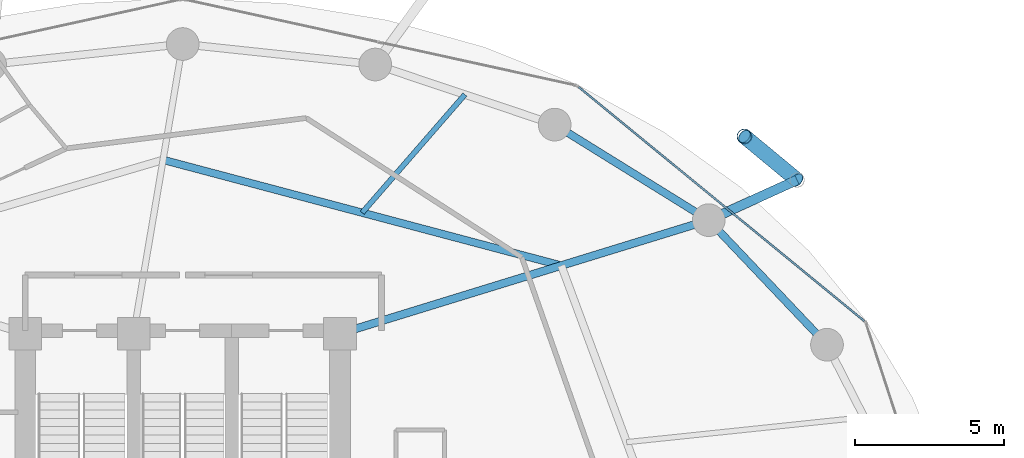
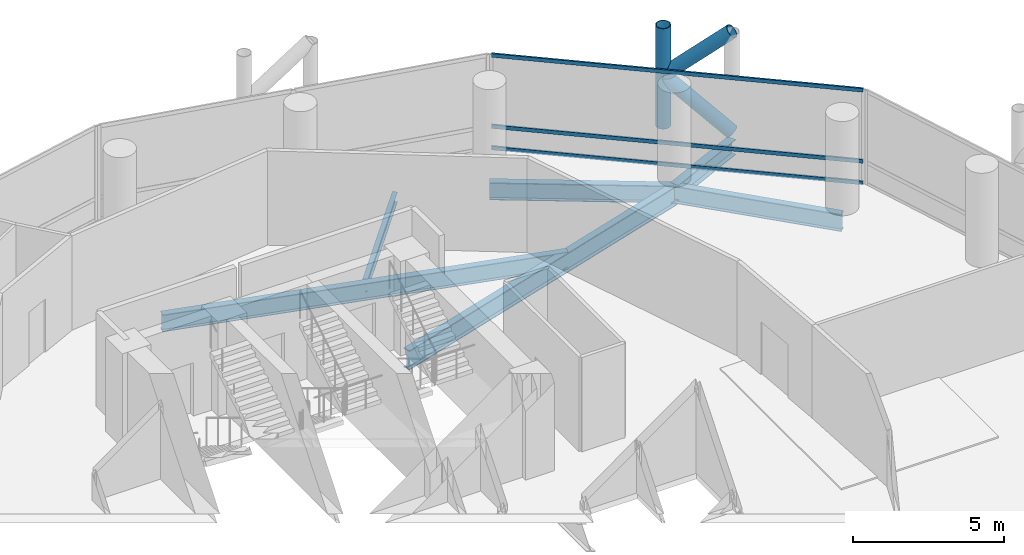
# One storey, part 17 of 24: 6 beams, 6 members, 1 element without a shape of its own.
"""IFC4 building model written with IfcOpenShell, lengths in metres."""

from ifc_helpers import new_model, si_unit, direction, frame, origin, origin_2d, place, context, subcontext, project, spatial, hollow_rectangle, hollow_circle, i_section, extrude, material, layer, layer_set, material_profile, profile_set, type_object, element, aggregate, save


model = new_model("IFC4")

# Units and contexts
model_context = context("Model", 3, precision=1e-05, world=origin(), true_north=direction((0.0, 1.0)))
body_context = subcontext(model_context, "Body", "Model", "MODEL_VIEW")
ifc_project = project(units=[si_unit("LENGTHUNIT", "METRE"), si_unit("AREAUNIT", "SQUARE_METRE"), si_unit("VOLUMEUNIT", "CUBIC_METRE"), si_unit("PLANEANGLEUNIT", "RADIAN"), si_unit("MASSUNIT", "GRAM", prefix="KILO")], contexts=[model_context])

# Site, building, storey
site_placement = place(None, origin())
site = spatial("IfcSite", under=ifc_project, at=site_placement, CompositionType="ELEMENT")
building_placement = place(site_placement, origin())
building = spatial("IfcBuilding", under=site, at=building_placement, Name="Nuhasar Tower", CompositionType="ELEMENT")
storey_placement = place(building_placement, frame((0.0, 0.0, 85.800048828125)))
storey = spatial("IfcBuildingStorey", under=building, at=storey_placement, Name="L20", CompositionType="ELEMENT", Elevation=85.800048828125)

# Beams
ifc_material_1 = material(Name="Steel S355", Category="steel")
ifc_material_profile_1 = material_profile(ifc_material_1, i_section(OverallWidth=0.25390625, OverallDepth=0.68408203125, WebThickness=0.012451171875, FlangeThickness=0.018798828125, at=origin_2d()), Name="W27X94")
ifc_profile_set_1 = profile_set([ifc_material_profile_1], Name="Steel S355")
beam_type_1 = type_object("IfcBeamType", Name="BM-INRING-W27X94", PredefinedType="BEAM", material=ifc_profile_set_1)
beam_1_placement = place(storey_placement, frame((51.748046875, 39.591064453125, -0.592041015625), z_axis=(-0.96653253005, 0.256544086574, 0.0), x_axis=(-0.256544086574, -0.96653253005, 0.0)))
element("IfcBeam", 1, at=beam_1_placement, inside=storey, type_object=beam_type_1, Name="L20 Inner Header Beam 05", PredefinedType="BEAM", context=body_context, shape_type="SweptSolid", body=[
    extrude(i_section(OverallWidth=0.25390625, OverallDepth=0.68408203125, WebThickness=0.012451171875, FlangeThickness=0.018798828125, at=origin_2d()), origin(), (0.0, 0.0, 1.0), 13.872314453125),
])
ifc_material_profile_2 = material_profile(ifc_material_1, i_section(OverallWidth=0.177978515625, OverallDepth=0.406005859375, WebThickness=0.0078125, FlangeThickness=0.0126953125, at=origin_2d()), Name="W16X40")
ifc_profile_set_2 = profile_set([ifc_material_profile_2], Name="Steel S355")
beam_type_2 = type_object("IfcBeamType", Name="BM-JST-W16X40", PredefinedType="JOIST", material=ifc_profile_set_2)
beam_2_placement = place(storey_placement, frame((45.0439453125, 41.3701171875, -0.453125), z_axis=(0.656174129694, 0.754609509296, 0.0), x_axis=(-0.754609509296, 0.656174129694, 0.0)))
element("IfcBeam", 2, at=beam_2_placement, inside=storey, type_object=beam_type_2, Name="L20 Secondary Floor Joist 05", PredefinedType="JOIST", context=body_context, shape_type="SweptSolid", body=[
    extrude(i_section(OverallWidth=0.177978515625, OverallDepth=0.406005859375, WebThickness=0.0078125, FlangeThickness=0.0126953125, at=origin_2d()), origin(), (0.0, 0.0, 1.0), 5.27294921875),
])
ifc_material_profile_3 = material_profile(ifc_material_1, i_section(OverallWidth=0.26611328125, OverallDepth=0.779052734375, WebThickness=0.0166015625, FlangeThickness=0.030029296875, at=origin_2d()), Name="W30X148")
ifc_profile_set_3 = profile_set([ifc_material_profile_3], Name="Steel S355")
beam_type_3 = type_object("IfcBeamType", Name="BM-RAD-W30X148", PredefinedType="BEAM", material=ifc_profile_set_3)
beam_3_placement = place(storey_placement, frame((44.300048828125, 37.300048828125, -0.64013671875), z_axis=(0.955789576103, 0.294051502653, 0.0), x_axis=(-0.294051502653, 0.955789576103, 0.0)))
element("IfcBeam", 3, at=beam_3_placement, inside=storey, type_object=beam_type_3, Name="L20 Radial Floor Girder 05", PredefinedType="BEAM", context=body_context, shape_type="SweptSolid", body=[
    extrude(i_section(OverallWidth=0.26611328125, OverallDepth=0.779052734375, WebThickness=0.0166015625, FlangeThickness=0.030029296875, at=origin_2d()), origin(), (0.0, 0.0, 1.0), 12.987060546875),
])
ifc_material_profile_4 = material_profile(ifc_material_1, i_section(OverallWidth=0.256103515625, OverallDepth=0.693115234375, WebThickness=0.014404296875, FlangeThickness=0.023681640625, at=origin_2d()), Name="W27X114")
ifc_profile_set_4 = profile_set([ifc_material_profile_4], Name="Steel S355")
beam_type_4 = type_object("IfcBeamType", Name="BM-RING-W27X114", PredefinedType="SPANDREL", material=ifc_profile_set_4)
beam_4_placement = place(storey_placement, frame((60.694091796875, 36.925048828125, -0.59716796875), z_axis=(-0.688480893507, 0.725254478976, 0.0), x_axis=(-0.725254478976, -0.688480893507, 0.0)))
element("IfcBeam", 4, at=beam_4_placement, inside=storey, type_object=beam_type_4, Name="L20 Perimeter Ring Spandrel 03", PredefinedType="SPANDREL", context=body_context, shape_type="SweptSolid", body=[
    extrude(i_section(OverallWidth=0.256103515625, OverallDepth=0.693115234375, WebThickness=0.014404296875, FlangeThickness=0.023681640625, at=origin_2d()), origin(), (0.0, 0.0, 1.0), 5.782470703125),
])
beam_5_placement = place(storey_placement, frame((56.712890625, 41.118896484375, -0.59716796875), z_axis=(-0.849795216549, 0.527112976439, 0.0), x_axis=(-0.527112976439, -0.849795216549, 0.0)))
element("IfcBeam", 5, at=beam_5_placement, inside=storey, type_object=beam_type_4, Name="L20 Perimeter Ring Spandrel 04", PredefinedType="SPANDREL", context=body_context, shape_type="SweptSolid", body=[
    extrude(i_section(OverallWidth=0.256103515625, OverallDepth=0.693115234375, WebThickness=0.014404296875, FlangeThickness=0.023681640625, at=origin_2d()), origin(), (0.0, 0.0, 1.0), 6.10498046875),
])
ifc_material_profile_5 = material_profile(ifc_material_1, i_section(OverallWidth=0.323974609375, OverallDepth=0.611083984375, WebThickness=0.0126953125, FlangeThickness=0.01904296875, at=origin_2d()), Name="W24X104")
ifc_profile_set_5 = profile_set([ifc_material_profile_5], Name="Steel S355")
beam_type_5 = type_object("IfcBeamType", Name="BM-TIE-W24X104", PredefinedType="BEAM", material=ifc_profile_set_5)
beam_6_placement = place(storey_placement, frame((56.712890625, 41.118896484375, -0.554931640625), z_axis=(0.910243528587, 0.414073325227, 0.0), x_axis=(-0.414073325227, 0.910243528587, 0.0)))
element("IfcBeam", 6, at=beam_6_placement, inside=storey, type_object=beam_type_5, Name="L20 Exoskeleton Node Tie Beam 02", PredefinedType="BEAM", context=body_context, shape_type="SweptSolid", body=[
    extrude(i_section(OverallWidth=0.323974609375, OverallDepth=0.611083984375, WebThickness=0.0126953125, FlangeThickness=0.01904296875, at=origin_2d()), origin(), (0.0, 0.0, 1.0), 3.26513671875),
])

# Curtain wall, members
ifc_material_2 = material(Name="Aluminium 6063-T6", Category="aluminium")
ifc_layer = layer(ifc_material_2, 0.199951171875)
ifc_layer_set = layer_set([ifc_layer], Name="Aluminium 6063-T6")
curtain_wall_type = type_object("IfcCurtainWallType", Name="CW-Z1-OFF", PredefinedType="NOTDEFINED", material=ifc_layer_set)
curtain_wall_placement = place(storey_placement, origin())
curtain_wall = element("IfcCurtainWall", 7, at=curtain_wall_placement, inside=storey, type_object=curtain_wall_type, Name="L20 Unitised Curtain Wall 02", PredefinedType="NOTDEFINED")
ifc_material_profile_6 = material_profile(ifc_material_2, hollow_rectangle(XDim=0.06494140625, YDim=0.14990234375, WallThickness=0.00439453125, at=origin_2d()), Name="CWT-2")
ifc_profile_set_6 = profile_set([ifc_material_profile_6], Name="Aluminium 6063-T6")
member_type_1 = type_object("IfcMemberType", Name="CW-TRN-S2", PredefinedType="USERDEFINED", material=ifc_profile_set_6)
member_1_placement = place(storey_placement, frame((61.95166015625, 37.72119140625, 0.032470703125), z_axis=(-0.773540851599, 0.633746440548, 0.0), x_axis=(-0.633746440548, -0.773540851599, 0.0)))
member_1 = element("IfcMember", 8, at=member_1_placement, type_object=member_type_1, Name="CW-Z1 transom 1.1", ObjectType="TRANSOM", PredefinedType="USERDEFINED", context=body_context, shape_type="SweptSolid", body=[
    extrude(hollow_rectangle(XDim=0.06494140625, YDim=0.14990234375, WallThickness=0.00439453125, at=origin_2d()), origin(), (0.0, 0.0, 1.0), 12.43798828125),
])
member_2_placement = place(storey_placement, frame((61.95166015625, 37.72119140625, 0.89990234375), z_axis=(-0.773540851599, 0.633746440548, 0.0), x_axis=(-0.633746440548, -0.773540851599, 0.0)))
member_2 = element("IfcMember", 9, at=member_2_placement, type_object=member_type_1, Name="CW-Z1 transom 1.2", ObjectType="TRANSOM", PredefinedType="USERDEFINED", context=body_context, shape_type="SweptSolid", body=[
    extrude(hollow_rectangle(XDim=0.06494140625, YDim=0.14990234375, WallThickness=0.00439453125, at=origin_2d()), origin(), (0.0, 0.0, 1.0), 12.43798828125),
])
member_3_placement = place(storey_placement, frame((61.95166015625, 37.72119140625, 3.767333984375), z_axis=(-0.773540851599, 0.633746440548, 0.0), x_axis=(-0.633746440548, -0.773540851599, 0.0)))
member_3 = element("IfcMember", 10, at=member_3_placement, type_object=member_type_1, Name="CW-Z1 transom 1.3", ObjectType="TRANSOM", PredefinedType="USERDEFINED", context=body_context, shape_type="SweptSolid", body=[
    extrude(hollow_rectangle(XDim=0.06494140625, YDim=0.14990234375, WallThickness=0.00439453125, at=origin_2d()), origin(), (0.0, 0.0, 1.0), 12.43798828125),
])
aggregate(curtain_wall, [member_1, member_2, member_3])

# Members
ifc_material_3 = material(Name="Steel S460", Category="steel")
ifc_material_profile_7 = material_profile(ifc_material_3, hollow_circle(Radius=0.25390625, WallThickness=0.025390625, at=origin_2d()), Name="HSS508X25.4")
ifc_profile_set_7 = profile_set([ifc_material_profile_7], Name="Steel S460")
member_type_2 = type_object("IfcMemberType", Name="EXO-BRONZE-508", PredefinedType="BRACE", material=ifc_profile_set_7)
member_4_placement = place(storey_placement, frame((57.9130859375, 43.93896484375, 0.0), z_axis=(0.0, 0.0, 1.0), x_axis=(1.0, 0.0, 0.0)))
element("IfcMember", 11, at=member_4_placement, inside=storey, type_object=member_type_2, Name="L20 Exoskeleton Chord Column EC-02B", PredefinedType="BRACE", context=body_context, shape_type="SweptSolid", body=[
    extrude(hollow_circle(Radius=0.25390625, WallThickness=0.025390625, at=origin_2d()), origin(), (0.0, 0.0, 1.0), 4.050048828125),
])
member_5_placement = place(storey_placement, frame((59.68505859375, 42.470947265625, 0.0), z_axis=(-0.578101613167, 0.478937034992, 0.660619286251), x_axis=(-0.637969333506, -0.770061769929, 0.0)))
element("IfcMember", 12, at=member_5_placement, inside=storey, type_object=member_type_2, Name="L20 Bronze Diagrid Brace W1-02", PredefinedType="BRACE", context=body_context, shape_type="SweptSolid", body=[
    extrude(hollow_circle(Radius=0.25390625, WallThickness=0.025390625, at=origin_2d()), origin(), (0.0, 0.0, 1.0), 3.065185546875),
])
member_6_placement = place(storey_placement, frame((57.9130859375, 43.93896484375, 2.02490234375), z_axis=(0.578071194894, -0.478911834514, 0.660664172175), x_axis=(0.637969333506, 0.770061769929, 0.0)))
element("IfcMember", 13, at=member_6_placement, inside=storey, type_object=member_type_2, Name="L20 Bronze Diagrid Brace W2-02", PredefinedType="BRACE", context=body_context, shape_type="SweptSolid", body=[
    extrude(hollow_circle(Radius=0.25390625, WallThickness=0.025390625, at=origin_2d()), origin(), (0.0, 0.0, 1.0), 3.0654296875),
])

save(model, "model.ifc")
